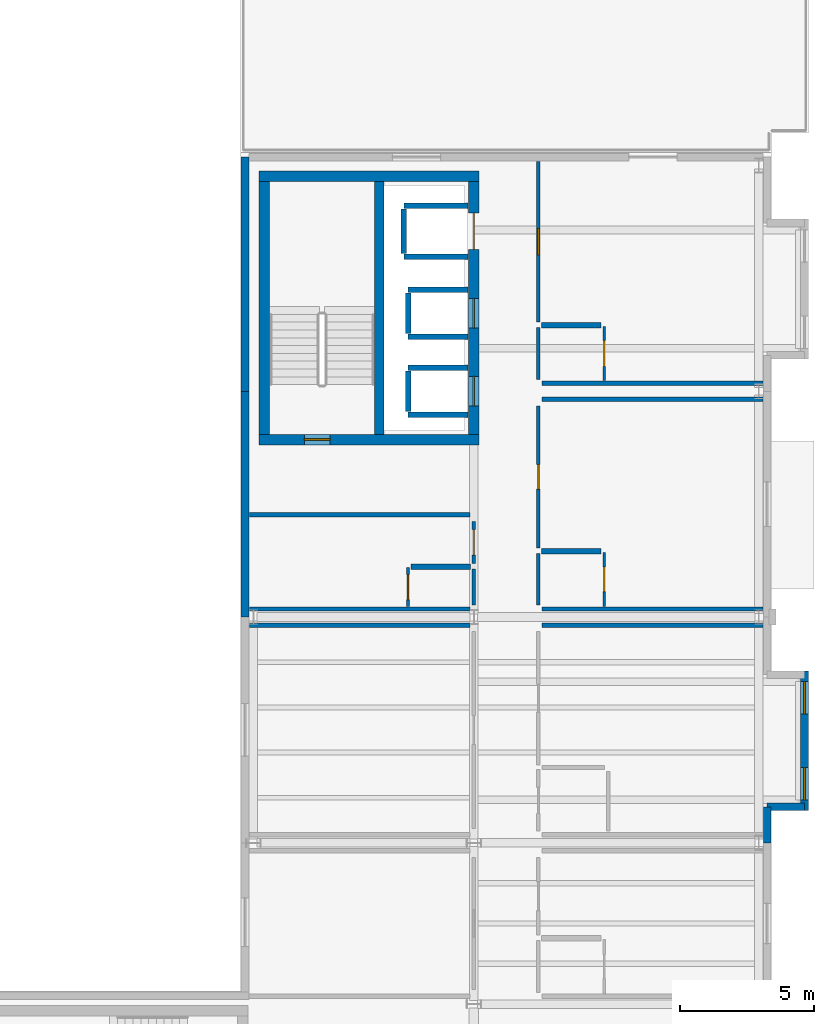
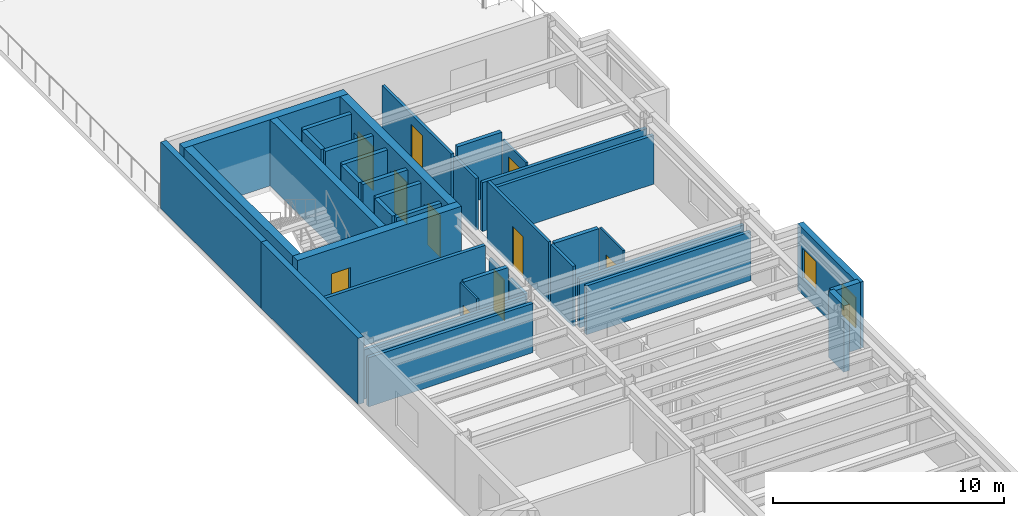
# One storey, part 14 of 19: 38 walls, 10 doors, 2 windows, 12 openings.
"""IFC4 building model written with IfcOpenShell, lengths in metres."""

import ifcopenshell
import ifcopenshell.guid

model = None  # the IFC model being written
_history = None  # IfcOwnerHistory: only IFC2X3 demands one
_inside = {}  # id of a spatial element -> (the spatial element, [elements in it])
_under = {}  # id of a project, library or spatial element -> (it, [spatial elements below it])
_declared = {}  # id of a project -> (the project, [libraries it declares])
_typed = {}  # id of a type object -> (the type object, [elements of that type])
_made_of = {}  # id of a material, layer set ... -> (it, [elements and type objects made of it])


def new_model(schema):
    """Start an empty IFC model of exactly this schema.

    Asked for "IFC4X3", IfcOpenShell would pick the latest addendum, in which some entities
    have other attributes; the version numbers below select the first issue.
    IFC2X3 requires an IfcOwnerHistory on every rooted entity: one is made here for all.
    """
    global model, _history
    if schema == "IFC4X3":
        model = ifcopenshell.file(schema_version=(4, 3, 0, 0))
    else:
        model = ifcopenshell.file(schema=schema)
    _inside.clear()
    _under.clear()
    _declared.clear()
    _typed.clear()
    _made_of.clear()
    _history = None
    if model.schema == "IFC2X3":
        org = make("IfcOrganization", Name="unknown")
        user = make(
            "IfcPersonAndOrganization",
            ThePerson=make("IfcPerson", FamilyName="unknown"),
            TheOrganization=org,
        )
        app = make(
            "IfcApplication",
            ApplicationDeveloper=org,
            Version="unknown",
            ApplicationFullName="unknown",
            ApplicationIdentifier="unknown",
        )
        _history = make(
            "IfcOwnerHistory",
            OwningUser=user,
            OwningApplication=app,
            ChangeAction="ADDED",
            CreationDate=0,
        )
    return model


def make(cls, **values):
    """One entity of the class cls with the attributes given. An attribute that is None is left unset."""
    return model.create_entity(
        cls, **{name: value for name, value in values.items() if value is not None}
    )


def rooted(cls, **values):
    """An entity with a GlobalId (a new one), such as an element, a storey or a relation."""
    return make(cls, GlobalId=ifcopenshell.guid.new(), OwnerHistory=_history, **values)


def si_unit(unit_type, name, prefix=None):
    """IfcSIUnit, for example si_unit("LENGTHUNIT", "METRE", prefix="MILLI")."""
    return make("IfcSIUnit", UnitType=unit_type, Prefix=prefix, Name=name)


def assignment(units):
    """IfcUnitAssignment: the units of a project."""
    return None if units is None else make("IfcUnitAssignment", Units=units)


def point(xyz):
    """IfcCartesianPoint."""
    return None if xyz is None else make("IfcCartesianPoint", Coordinates=xyz)


def direction(xyz):
    """IfcDirection."""
    return None if xyz is None else make("IfcDirection", DirectionRatios=xyz)


def frame(location, z_axis=None, x_axis=None):
    """IfcAxis2Placement3D, a coordinate frame: its origin and axes. An axis left out is left unset."""
    return make(
        "IfcAxis2Placement3D",
        Location=point(location),
        Axis=direction(z_axis),
        RefDirection=direction(x_axis),
    )


def frame_2d(location, x_axis=None):
    """IfcAxis2Placement2D, a coordinate frame in the plane: its origin and x axis."""
    return make(
        "IfcAxis2Placement2D", Location=point(location), RefDirection=direction(x_axis)
    )


def origin():
    """The frame at (0, 0, 0) with its axes left unset."""
    return frame((0.0, 0.0, 0.0))


def place(relative_to, where):
    """IfcLocalPlacement: puts the frame where relative to a parent placement (None: the world)."""
    return make(
        "IfcLocalPlacement", PlacementRelTo=relative_to, RelativePlacement=where
    )


def context(
    kind, dimensions, precision=None, world=None, true_north=None, identifier=None
):
    """IfcGeometricRepresentationContext, for example the 3D "Model" context."""
    return make(
        "IfcGeometricRepresentationContext",
        ContextIdentifier=identifier,
        ContextType=kind,
        CoordinateSpaceDimension=dimensions,
        Precision=precision,
        WorldCoordinateSystem=world,
        TrueNorth=true_north,
    )


def subcontext(parent, identifier, kind, view, scale=None):
    """IfcGeometricRepresentationSubContext, for example "Body" below "Model"."""
    return make(
        "IfcGeometricRepresentationSubContext",
        ContextIdentifier=identifier,
        ContextType=kind,
        ParentContext=parent,
        TargetScale=scale,
        TargetView=view,
    )


def project(units=None, contexts=None):
    """IfcProject with its units and contexts."""
    return rooted(
        "IfcProject",
        Name="project",
        RepresentationContexts=contexts,
        UnitsInContext=assignment(units),
    )


def spatial(cls, under=None, at=None, **own):
    """A site, building, storey or space (cls), placed at a placement, below another one or the project."""
    s = rooted(cls, ObjectPlacement=at, **own)
    if under is not None:
        _under.setdefault(under.id(), (under, []))[1].append(s)
    return s


def profile(cls, at=None, kind="AREA", **sizes):
    """A parametric profile (cls). Its sizes go by their IFC names, for example OverallWidth=200.0."""
    return make(cls, ProfileType=kind, Position=at, **sizes)


def rectangle(**sizes):
    """IfcRectangleProfileDef."""
    return profile("IfcRectangleProfileDef", **sizes)


def extrude(swept, where, along, depth):
    """IfcExtrudedAreaSolid: the profile swept, set in the frame where, extruded along a direction by depth."""
    return make(
        "IfcExtrudedAreaSolid",
        SweptArea=swept,
        Position=where,
        ExtrudedDirection=direction(along),
        Depth=depth,
    )


def shape(context_of_items, identifier, shape_type, items):
    """IfcShapeRepresentation: the items that make up one representation, for example the "Body"."""
    return make(
        "IfcShapeRepresentation",
        ContextOfItems=context_of_items,
        RepresentationIdentifier=identifier,
        RepresentationType=shape_type,
        Items=items,
    )


def material(Name=None, Category=None):
    """IfcMaterial."""
    return make("IfcMaterial", Name=Name, Category=Category)


def layer(
    of_material, thickness, ventilated=None, Name=None, Category=None, Priority=None
):
    """IfcMaterialLayer: one layer of a wall or slab, of a material (None: an air gap)."""
    return make(
        "IfcMaterialLayer",
        Material=of_material,
        LayerThickness=thickness,
        IsVentilated=ventilated,
        Name=Name,
        Category=Category,
        Priority=Priority,
    )


def layer_set(layers, Name=None):
    """IfcMaterialLayerSet."""
    return make("IfcMaterialLayerSet", MaterialLayers=layers, LayerSetName=Name)


def made_of(thing, what):
    """Note that an element or type object is made of a material, layer set ...; save() writes the relation."""
    if what is not None:
        _made_of.setdefault(what.id(), (what, []))[1].append(thing)
    return thing


def type_object(cls, material=None, **own):
    """A type object (cls), such as IfcWallType, which elements share."""
    return made_of(rooted(cls, **own), material)


def element(
    cls,
    number,
    at=None,
    inside=None,
    cuts=None,
    type_object=None,
    material=None,
    context=None,
    identifier="Body",
    shape_type=None,
    held_by="IfcProductDefinitionShape",
    body=None,
    shapes=None,
    **own,
):
    """One element of the class cls, such as IfcWall. Its Tag is "e" and its number.

    at: its placement. inside: the storey or other place that contains it. cuts: it is an
    opening in that element (IfcRelVoidsElement). A single representation is given by context,
    identifier, shape_type and body (its items); several are given by shapes. held_by: the class
    of the entity that holds the representations. save() writes the other relations.
    """
    e = rooted(cls, Tag="e%d" % number, ObjectPlacement=at, **own)
    if body is not None:
        shapes = [shape(context, identifier, shape_type, body)]
    if shapes is not None:
        e.Representation = make(held_by, Representations=shapes)
    if inside is not None:
        _inside.setdefault(inside.id(), (inside, []))[1].append(e)
    if cuts is not None:
        rooted(
            "IfcRelVoidsElement", RelatingBuildingElement=cuts, RelatedOpeningElement=e
        )
    if type_object is not None:
        _typed.setdefault(type_object.id(), (type_object, []))[1].append(e)
    return made_of(e, material)


def fill(opening, filler):
    """IfcRelFillsElement: the door or window that sits in an opening."""
    return rooted(
        "IfcRelFillsElement",
        RelatingOpeningElement=opening,
        RelatedBuildingElement=filler,
    )


def aggregate(whole, parts):
    """IfcRelAggregates: a whole, such as a stair, and the parts it consists of."""
    return rooted("IfcRelAggregates", RelatingObject=whole, RelatedObjects=parts)


def save(model, path):
    """Write the relations noted so far, then the file.

    IfcRelAggregates (storeys below a building ...), IfcRelContainedInSpatialStructure (elements
    in a storey), IfcRelDefinesByType, IfcRelAssociatesMaterial and IfcRelDeclares: one each for
    every whole, place, type object, material and project.
    """
    for whole, parts in _under.values():
        aggregate(whole, parts)
    for where, things in _inside.values():
        rooted(
            "IfcRelContainedInSpatialStructure",
            RelatedElements=things,
            RelatingStructure=where,
        )
    for kind, things in _typed.values():
        rooted("IfcRelDefinesByType", RelatedObjects=things, RelatingType=kind)
    for what, things in _made_of.values():
        rooted("IfcRelAssociatesMaterial", RelatedObjects=things, RelatingMaterial=what)
    for by, libraries in _declared.values():
        rooted("IfcRelDeclares", RelatingContext=by, RelatedDefinitions=libraries)
    model.write(path)


model = new_model("IFC4")

# Units and contexts
model_context = context("Model", 3, precision=1e-05, world=origin(), true_north=direction((0.0, 1.0)))
body_context = subcontext(model_context, "Body", "Model", "MODEL_VIEW")
ifc_project = project(units=[si_unit("LENGTHUNIT", "METRE"), si_unit("AREAUNIT", "SQUARE_METRE"), si_unit("VOLUMEUNIT", "CUBIC_METRE"), si_unit("PLANEANGLEUNIT", "RADIAN"), si_unit("MASSUNIT", "GRAM", prefix="KILO")], contexts=[model_context])

# Site, building, storey
site_placement = place(None, origin())
site = spatial("IfcSite", under=ifc_project, at=site_placement, CompositionType="ELEMENT")
building_placement = place(site_placement, origin())
building = spatial("IfcBuilding", under=site, at=building_placement, Name="Sollismere Congress Hotel", CompositionType="ELEMENT")
storey_placement = place(building_placement, frame((0.0, 0.0, 34.10009765625)))
storey = spatial("IfcBuildingStorey", under=building, at=storey_placement, Name="L08", CompositionType="ELEMENT", Elevation=34.10009765625)

# Wall
ifc_material_1 = material(Name="Colorado Buff Sandstone Rainscreen on Insulated Backup", Category="masonry")
ifc_layer_1 = layer(ifc_material_1, 0.284912109375, Name="Colorado Buff Sandstone Rainscreen on Insulated Backup")
ifc_layer_set_1 = layer_set([ifc_layer_1], Name="Colorado Buff Sandstone Rainscreen on Insulated Backup")
wall_type_1 = type_object("IfcWallType", Name="WL-EXT285", PredefinedType="STANDARD", material=ifc_layer_set_1)
wall_1_placement = place(storey_placement, frame((166.31005859375, 24.800048828125, 0.0), z_axis=(0.0, 0.0, 1.0), x_axis=(0.0, 1.0, 0.0)))
element("IfcWall", 1, at=wall_1_placement, inside=storey, type_object=wall_type_1, Name="Exterior wall EW-L08-849", PredefinedType="STANDARD", context=body_context, shape_type="SweptSolid", body=[
    extrude(rectangle(XDim=1.33984375, YDim=0.284912109375, at=frame_2d((0.669921875, 0.0))), origin(), (0.0, 0.0, 1.0), 3.5),
])

# Wall, openings, windows
wall_2_placement = place(storey_placement, frame((167.699951171875, 26.0, 0.0), z_axis=(0.0, 0.0, 1.0), x_axis=(0.0, 1.0, 0.0)))
wall_2 = element("IfcWall", 2, at=wall_2_placement, inside=storey, type_object=wall_type_1, Name="Exterior wall EW-L08-851", PredefinedType="STANDARD", context=body_context, shape_type="SweptSolid", body=[
    extrude(rectangle(XDim=5.199951171875, YDim=0.284912109375, at=frame_2d((2.60009765625, 0.0))), origin(), (0.0, 0.0, 1.0), 3.5),
])
opening_1_placement = place(wall_2_placement, frame((0.39990234375, 0.0, 0.85009765625)))
opening_1 = element("IfcOpeningElement", 3, at=opening_1_placement, cuts=wall_2, Name="Opening W-L08-613", PredefinedType="OPENING", context=body_context, shape_type="SweptSolid", body=[
    extrude(rectangle(XDim=1.199951171875, YDim=1.60009765625, at=frame_2d((0.60009765625, 0.800048828125))), frame((0.0, 0.15234375, 0.0), z_axis=(0.0, -1.0, 0.0), x_axis=(1.0, 0.0, 0.0)), (0.0, 0.0, 1.0), 0.304931640625),
])
opening_2_placement = place(wall_2_placement, frame((3.60009765625, 0.0, 0.85009765625)))
opening_2 = element("IfcOpeningElement", 4, at=opening_2_placement, cuts=wall_2, Name="Opening W-L08-614", PredefinedType="OPENING", context=body_context, shape_type="SweptSolid", body=[
    extrude(rectangle(XDim=1.199951171875, YDim=1.60009765625, at=frame_2d((0.60009765625, 0.800048828125))), frame((0.0, 0.15234375, 0.0), z_axis=(0.0, -1.0, 0.0), x_axis=(1.0, 0.0, 0.0)), (0.0, 0.0, 1.0), 0.304931640625),
])
ifc_material_2 = material(Name="Thermally Broken Bronze Aluminum & Low-E Glass", Category="aluminium")
window_type = type_object("IfcWindowType", Name="WN-P120x160", PartitioningType="SINGLE_PANEL", PredefinedType="WINDOW", material=ifc_material_2)
window_1_placement = place(opening_1_placement, origin())
window_1 = element("IfcWindow", 5, at=window_1_placement, inside=storey, type_object=window_type, Name="WIN-W-L08-613", OverallHeight=1.60009765625, OverallWidth=1.199951171875, PartitioningType="SINGLE_PANEL", PredefinedType="WINDOW", context=body_context, shape_type="SweptSolid", body=[
    extrude(rectangle(XDim=1.199951171875, YDim=1.60009765625, at=frame_2d((0.60009765625, 0.800048828125))), frame((0.0, 0.030029296875, 0.0), z_axis=(0.0, -1.0, 0.0), x_axis=(1.0, 0.0, 0.0)), (0.0, 0.0, 1.0), 0.06005859375),
])
fill(opening_1, window_1)
window_2_placement = place(opening_2_placement, origin())
window_2 = element("IfcWindow", 6, at=window_2_placement, inside=storey, type_object=window_type, Name="WIN-W-L08-614", OverallHeight=1.60009765625, OverallWidth=1.199951171875, PartitioningType="SINGLE_PANEL", PredefinedType="WINDOW", context=body_context, shape_type="SweptSolid", body=[
    extrude(rectangle(XDim=1.199951171875, YDim=1.60009765625, at=frame_2d((0.60009765625, 0.800048828125))), frame((0.0, 0.030029296875, 0.0), z_axis=(0.0, -1.0, 0.0), x_axis=(1.0, 0.0, 0.0)), (0.0, 0.0, 1.0), 0.06005859375),
])
fill(opening_2, window_2)

# Walls
wall_3_placement = place(storey_placement, frame((166.31005859375, 26.139892578125, 0.0), z_axis=(0.0, 0.0, 1.0), x_axis=(1.0, 0.0, 0.0)))
element("IfcWall", 7, at=wall_3_placement, inside=storey, type_object=wall_type_1, Name="Exterior wall EW-L08-852", PredefinedType="STANDARD", context=body_context, shape_type="SweptSolid", body=[
    extrude(rectangle(XDim=1.389892578125, YDim=0.284912109375, at=frame_2d((0.69482421875, 0.0))), origin(), (0.0, 0.0, 1.0), 3.5),
])
wall_4_placement = place(storey_placement, frame((146.889892578125, 33.199951171875, 0.0), z_axis=(0.0, 0.0, 1.0), x_axis=(0.0, 1.0, 0.0)))
element("IfcWall", 8, at=wall_4_placement, inside=storey, type_object=wall_type_1, Name="Exterior wall EW-L08-871", PredefinedType="STANDARD", context=body_context, shape_type="SweptSolid", body=[
    extrude(rectangle(XDim=8.400146484375, YDim=0.284912109375, at=frame_2d((4.2001953125, 0.0))), origin(), (0.0, 0.0, 1.0), 3.5),
])
wall_5_placement = place(storey_placement, frame((146.889892578125, 41.60009765625, 0.0), z_axis=(0.0, 0.0, 1.0), x_axis=(0.0, 1.0, 0.0)))
element("IfcWall", 9, at=wall_5_placement, inside=storey, type_object=wall_type_1, Name="Exterior wall EW-L08-872", PredefinedType="STANDARD", context=body_context, shape_type="SweptSolid", body=[
    extrude(rectangle(XDim=8.7099609375, YDim=0.284912109375, at=frame_2d((4.35498046875, 0.0))), origin(), (0.0, 0.0, 1.0), 3.5),
])
ifc_material_3 = material(Name="Moisture-Resistant Shaft Gypsum Assembly")
ifc_layer_2 = layer(ifc_material_3, 0.199951171875, Name="Moisture-Resistant Shaft Gypsum Assembly")
ifc_layer_set_2 = layer_set([ifc_layer_2], Name="Moisture-Resistant Shaft Gypsum Assembly")
wall_type_2 = type_object("IfcWallType", Name="WL-PLM200", PredefinedType="PLUMBINGWALL", material=ifc_layer_set_2)
for number, where, z_axis, x_axis, name in (
    (10, (152.955078125, 40.72998046875, 0.0), (0.0, 0.0, 1.0), (1.0, 0.0, 0.0), "Interior wall IW-L08-0509"),
    (11, (152.955078125, 42.469970703125, 0.0), (0.0, 0.0, 1.0), (1.0, 0.0, 0.0), "Interior wall IW-L08-0510"),
):
    element("IfcWall", number, at=place(storey_placement, frame(where, z_axis=z_axis, x_axis=x_axis)), inside=storey, type_object=wall_type_2, Name=name, PredefinedType="PLUMBINGWALL", context=body_context, shape_type="SweptSolid", body=[
        extrude(rectangle(XDim=2.23291015625, YDim=0.199951171875, at=frame_2d((1.116455078125, 0.0))), origin(), (0.0, 0.0, 1.0), 3.18994140625),
    ])
wall_6_placement = place(storey_placement, frame((152.955078125, 40.842041015625, 0.0), z_axis=(0.0, 0.0, 1.0), x_axis=(0.0, 1.0, 0.0)))
element("IfcWall", 12, at=wall_6_placement, inside=storey, type_object=wall_type_2, Name="Interior wall IW-L08-0511", PredefinedType="PLUMBINGWALL", context=body_context, shape_type="SweptSolid", body=[
    extrude(rectangle(XDim=1.515869140625, YDim=0.199951171875, at=frame_2d((0.7578125, 0.0))), origin(), (0.0, 0.0, 1.0), 3.18994140625),
])
for number, where, z_axis, x_axis, name in (
    (13, (152.955078125, 43.6298828125, 0.0), (0.0, 0.0, 1.0), (1.0, 0.0, 0.0), "Interior wall IW-L08-0512"),
    (14, (152.955078125, 45.3701171875, 0.0), (0.0, 0.0, 1.0), (1.0, 0.0, 0.0), "Interior wall IW-L08-0513"),
):
    element("IfcWall", number, at=place(storey_placement, frame(where, z_axis=z_axis, x_axis=x_axis)), inside=storey, type_object=wall_type_2, Name=name, PredefinedType="PLUMBINGWALL", context=body_context, shape_type="SweptSolid", body=[
        extrude(rectangle(XDim=2.23291015625, YDim=0.199951171875, at=frame_2d((1.116455078125, 0.0))), origin(), (0.0, 0.0, 1.0), 3.18994140625),
    ])
wall_7_placement = place(storey_placement, frame((152.955078125, 43.741943359375, 0.0), z_axis=(0.0, 0.0, 1.0), x_axis=(0.0, 1.0, 0.0)))
element("IfcWall", 15, at=wall_7_placement, inside=storey, type_object=wall_type_2, Name="Interior wall IW-L08-0514", PredefinedType="PLUMBINGWALL", context=body_context, shape_type="SweptSolid", body=[
    extrude(rectangle(XDim=1.51611328125, YDim=0.199951171875, at=frame_2d((0.758056640625, 0.0))), origin(), (0.0, 0.0, 1.0), 3.18994140625),
])
for number, where, z_axis, x_axis, name in (
    (16, (152.800048828125, 46.60498046875, 0.0), (0.0, 0.0, 1.0), (1.0, 0.0, 0.0), "Interior wall IW-L08-0515"),
    (17, (152.800048828125, 48.4951171875, 0.0), (0.0, 0.0, 1.0), (1.0, 0.0, 0.0), "Interior wall IW-L08-0516"),
):
    element("IfcWall", number, at=place(storey_placement, frame(where, z_axis=z_axis, x_axis=x_axis)), inside=storey, type_object=wall_type_2, Name=name, PredefinedType="PLUMBINGWALL", context=body_context, shape_type="SweptSolid", body=[
        extrude(rectangle(XDim=2.387939453125, YDim=0.199951171875, at=frame_2d((1.19384765625, 0.0))), origin(), (0.0, 0.0, 1.0), 3.18994140625),
    ])
wall_8_placement = place(storey_placement, frame((152.800048828125, 46.717041015625, 0.0), z_axis=(0.0, 0.0, 1.0), x_axis=(0.0, 1.0, 0.0)))
element("IfcWall", 18, at=wall_8_placement, inside=storey, type_object=wall_type_2, Name="Interior wall IW-L08-0517", PredefinedType="PLUMBINGWALL", context=body_context, shape_type="SweptSolid", body=[
    extrude(rectangle(XDim=1.666015625, YDim=0.199951171875, at=frame_2d((0.8330078125, 0.0))), origin(), (0.0, 0.0, 1.0), 3.18994140625),
])
for number, where, z_axis, x_axis, name in (
    (19, (157.919921875, 35.64990234375, 0.0), (0.0, 0.0, 1.0), (1.0, 0.0, 0.0), "Interior wall IW-L08-2535"),
    (20, (153.070068359375, 35.074951171875, 0.0), (0.0, 0.0, 1.0), (1.0, 0.0, 0.0), "Interior wall IW-L08-2541"),
    (21, (157.919921875, 44.050048828125, 0.0), (0.0, 0.0, 1.0), (1.0, 0.0, 0.0), "Interior wall IW-L08-2546"),
):
    element("IfcWall", number, at=place(storey_placement, frame(where, z_axis=z_axis, x_axis=x_axis)), inside=storey, type_object=wall_type_2, Name=name, PredefinedType="PLUMBINGWALL", context=body_context, shape_type="SweptSolid", body=[
        extrude(rectangle(XDim=2.2099609375, YDim=0.199951171875, at=frame_2d((1.10498046875, 0.0))), origin(), (0.0, 0.0, 1.0), 3.18994140625),
    ])

# Wall, opening, door
ifc_material_4 = material(Name="Moisture-Resistant Gypsum Partition")
ifc_layer_3 = layer(ifc_material_4, 0.10009765625, Name="Moisture-Resistant Gypsum Partition")
ifc_layer_set_3 = layer_set([ifc_layer_3], Name="Moisture-Resistant Gypsum Partition")
wall_type_3 = type_object("IfcWallType", Name="WL-PRT100", PredefinedType="PARTITIONING", material=ifc_layer_set_3)
wall_9_placement = place(storey_placement, frame((160.25, 33.594482421875, 0.0), z_axis=(0.0, 0.0, 1.0), x_axis=(0.0, 1.0, 0.0)))
wall_9 = element("IfcWall", 22, at=wall_9_placement, inside=storey, type_object=wall_type_3, Name="Interior wall IW-L08-2536", PredefinedType="PARTITIONING", context=body_context, shape_type="SweptSolid", body=[
    extrude(rectangle(XDim=2.015625, YDim=0.10009765625, at=frame_2d((1.0078125, 0.0))), origin(), (0.0, 0.0, 1.0), 3.18994140625),
])
opening_3_placement = place(wall_9_placement, frame((0.554931640625, 0.0, 0.0)))
opening_3 = element("IfcOpeningElement", 23, at=opening_3_placement, cuts=wall_9, Name="Opening D-L08-0895", PredefinedType="OPENING", context=body_context, shape_type="SweptSolid", body=[
    extrude(rectangle(XDim=0.905029296875, YDim=2.10009765625, at=frame_2d((0.45263671875, 1.050048828125))), frame((0.0, 0.06005859375, 0.0), z_axis=(0.0, -1.0, 0.0), x_axis=(1.0, 0.0, 0.0)), (0.0, 0.0, 1.0), 0.1201171875),
])
ifc_material_5 = material(Name="Moisture-Sealed Timber Bathroom Door", Category="wood")
door_type_1 = type_object("IfcDoorType", Name="DR-BT02", OperationType="NOTDEFINED", PredefinedType="DOOR", material=ifc_material_5)
door_1_placement = place(opening_3_placement, origin())
door_1 = element("IfcDoor", 24, at=door_1_placement, inside=storey, type_object=door_type_1, Name="En-suite bathroom door D-L08-0895", OperationType="SINGLE_SWING_RIGHT", OverallHeight=2.10009765625, OverallWidth=0.905029296875, PredefinedType="DOOR", context=body_context, shape_type="SweptSolid", body=[
    extrude(rectangle(XDim=0.905029296875, YDim=2.10009765625, at=frame_2d((0.45263671875, 1.050048828125))), frame((0.0, 0.02490234375, 0.0), z_axis=(0.0, -1.0, 0.0), x_axis=(1.0, 0.0, 0.0)), (0.0, 0.0, 1.0), 0.050048828125),
])
fill(opening_3, door_1)

wall_10_placement = place(storey_placement, frame((152.949951171875, 33.594482421875, 0.0), z_axis=(0.0, 0.0, 1.0), x_axis=(0.0, 1.0, 0.0)))
wall_10 = element("IfcWall", 25, at=wall_10_placement, inside=storey, type_object=wall_type_3, Name="Interior wall IW-L08-2542", PredefinedType="PARTITIONING", context=body_context, shape_type="SweptSolid", body=[
    extrude(rectangle(XDim=1.4404296875, YDim=0.10009765625, at=frame_2d((0.72021484375, 0.0))), origin(), (0.0, 0.0, 1.0), 3.18994140625),
])
opening_4_placement = place(wall_10_placement, frame((0.2548828125, 0.0, 0.0)))
opening_4 = element("IfcOpeningElement", 26, at=opening_4_placement, cuts=wall_10, Name="Opening D-L08-0897", PredefinedType="OPENING", context=body_context, shape_type="SweptSolid", body=[
    extrude(rectangle(XDim=0.929931640625, YDim=2.139892578125, at=frame_2d((0.46484375, 1.06982421875))), frame((0.0, 0.06005859375, 0.0), z_axis=(0.0, -1.0, 0.0), x_axis=(1.0, 0.0, 0.0)), (0.0, 0.0, 1.0), 0.1201171875),
])
door_type_2 = type_object("IfcDoorType", Name="DR-BT03", OperationType="NOTDEFINED", PredefinedType="DOOR", material=ifc_material_5)
door_2_placement = place(opening_4_placement, origin())
door_2 = element("IfcDoor", 27, at=door_2_placement, inside=storey, type_object=door_type_2, Name="En-suite bathroom door D-L08-0897", OperationType="SINGLE_SWING_RIGHT", OverallHeight=2.139892578125, OverallWidth=0.929931640625, PredefinedType="DOOR", context=body_context, shape_type="SweptSolid", body=[
    extrude(rectangle(XDim=0.929931640625, YDim=2.139892578125, at=frame_2d((0.46484375, 1.06982421875))), frame((0.0, 0.02490234375, 0.0), z_axis=(0.0, -1.0, 0.0), x_axis=(1.0, 0.0, 0.0)), (0.0, 0.0, 1.0), 0.050048828125),
])
fill(opening_4, door_2)

wall_11_placement = place(storey_placement, frame((160.25, 41.994384765625, 0.0), z_axis=(0.0, 0.0, 1.0), x_axis=(0.0, 1.0, 0.0)))
wall_11 = element("IfcWall", 28, at=wall_11_placement, inside=storey, type_object=wall_type_3, Name="Interior wall IW-L08-2547", PredefinedType="PARTITIONING", context=body_context, shape_type="SweptSolid", body=[
    extrude(rectangle(XDim=2.015625, YDim=0.10009765625, at=frame_2d((1.0078125, 0.0))), origin(), (0.0, 0.0, 1.0), 2.742919921875),
])
opening_5_placement = place(wall_11_placement, frame((0.530029296875, 0.0, 0.0)))
opening_5 = element("IfcOpeningElement", 29, at=opening_5_placement, cuts=wall_11, Name="Opening D-L08-0899", PredefinedType="OPENING", context=body_context, shape_type="SweptSolid", body=[
    extrude(rectangle(XDim=0.955078125, YDim=2.139892578125, at=frame_2d((0.4775390625, 1.06982421875))), frame((0.0, 0.06005859375, 0.0), z_axis=(0.0, -1.0, 0.0), x_axis=(1.0, 0.0, 0.0)), (0.0, 0.0, 1.0), 0.1201171875),
])
door_type_3 = type_object("IfcDoorType", Name="DR-BT04", OperationType="NOTDEFINED", PredefinedType="DOOR", material=ifc_material_5)
door_3_placement = place(opening_5_placement, origin())
door_3 = element("IfcDoor", 30, at=door_3_placement, inside=storey, type_object=door_type_3, Name="En-suite bathroom door D-L08-0899", OperationType="SINGLE_SWING_RIGHT", OverallHeight=2.139892578125, OverallWidth=0.955078125, PredefinedType="DOOR", context=body_context, shape_type="SweptSolid", body=[
    extrude(rectangle(XDim=0.955078125, YDim=2.139892578125, at=frame_2d((0.4775390625, 1.06982421875))), frame((0.0, 0.02490234375, 0.0), z_axis=(0.0, -1.0, 0.0), x_axis=(1.0, 0.0, 0.0)), (0.0, 0.0, 1.0), 0.050048828125),
])
fill(opening_5, door_3)

# Wall
ifc_material_6 = material(Name="Fire-Rated Gypsum Partition")
ifc_layer_4 = layer(ifc_material_6, 0.139892578125, Name="Fire-Rated Gypsum Partition")
ifc_layer_set_4 = layer_set([ifc_layer_4], Name="Fire-Rated Gypsum Partition")
wall_type_4 = type_object("IfcWallType", Name="WL-PRT140R", PredefinedType="PARTITIONING", material=ifc_layer_set_4)
wall_12_placement = place(storey_placement, frame((157.800048828125, 33.639892578125, 0.0), z_axis=(0.0, 0.0, 1.0), x_axis=(0.0, 1.0, 0.0)))
element("IfcWall", 31, at=wall_12_placement, inside=storey, type_object=wall_type_4, Name="Interior wall IW-L08-2531", PredefinedType="PARTITIONING", context=body_context, shape_type="SweptSolid", body=[
    extrude(rectangle(XDim=1.93017578125, YDim=0.139892578125, at=frame_2d((0.965087890625, 0.0))), origin(), (0.0, 0.0, 1.0), 3.18994140625),
])

# Wall, opening, door
wall_13_placement = place(storey_placement, frame((157.800048828125, 35.77001953125, 0.0), z_axis=(0.0, 0.0, 1.0), x_axis=(0.0, 1.0, 0.0)))
wall_13 = element("IfcWall", 32, at=wall_13_placement, inside=storey, type_object=wall_type_4, Name="Interior wall IW-L08-2532", PredefinedType="PARTITIONING", context=body_context, shape_type="SweptSolid", body=[
    extrude(rectangle(XDim=5.2900390625, YDim=0.139892578125, at=frame_2d((2.64501953125, 0.0))), origin(), (0.0, 0.0, 1.0), 3.18994140625),
])
opening_6_placement = place(wall_13_placement, frame((2.18505859375, 0.0, 0.0)))
opening_6 = element("IfcOpeningElement", 33, at=opening_6_placement, cuts=wall_13, Name="Opening D-L08-0894", PredefinedType="OPENING", context=body_context, shape_type="SweptSolid", body=[
    extrude(rectangle(XDim=0.919921875, YDim=2.14990234375, at=frame_2d((0.4599609375, 1.074951171875))), frame((0.0, 0.079833984375, 0.0), z_axis=(0.0, -1.0, 0.0), x_axis=(1.0, 0.0, 0.0)), (0.0, 0.0, 1.0), 0.159912109375),
])
ifc_material_7 = material(Name="Solid-Core Acoustic Walnut Guestroom Entry Door")
door_type_4 = type_object("IfcDoorType", Name="DR-KY01", OperationType="NOTDEFINED", PredefinedType="DOOR", material=ifc_material_7)
door_4_placement = place(opening_6_placement, origin())
door_4 = element("IfcDoor", 34, at=door_4_placement, inside=storey, type_object=door_type_4, Name="Hotel room entry door D-L08-0894", OperationType="SINGLE_SWING_LEFT", OverallHeight=2.14990234375, OverallWidth=0.919921875, PredefinedType="DOOR", context=body_context, shape_type="SweptSolid", body=[
    extrude(rectangle(XDim=0.919921875, YDim=2.14990234375, at=frame_2d((0.4599609375, 1.074951171875))), frame((0.0, 0.02490234375, 0.0), z_axis=(0.0, -1.0, 0.0), x_axis=(1.0, 0.0, 0.0)), (0.0, 0.0, 1.0), 0.050048828125),
])
fill(opening_6, door_4)

# Wall
wall_14_placement = place(storey_placement, frame((155.39990234375, 33.639892578125, 0.0), z_axis=(0.0, 0.0, 1.0), x_axis=(0.0, 1.0, 0.0)))
element("IfcWall", 35, at=wall_14_placement, inside=storey, type_object=wall_type_4, Name="Interior wall IW-L08-2537", PredefinedType="PARTITIONING", context=body_context, shape_type="SweptSolid", body=[
    extrude(rectangle(XDim=1.355224609375, YDim=0.139892578125, at=frame_2d((0.677734375, 0.0))), origin(), (0.0, 0.0, 1.0), 2.579833984375),
])

# Wall, opening, door
wall_15_placement = place(storey_placement, frame((155.39990234375, 35.195068359375, 0.0), z_axis=(0.0, 0.0, 1.0), x_axis=(0.0, 1.0, 0.0)))
wall_15 = element("IfcWall", 36, at=wall_15_placement, inside=storey, type_object=wall_type_4, Name="Interior wall IW-L08-2538", PredefinedType="PARTITIONING", context=body_context, shape_type="SweptSolid", body=[
    extrude(rectangle(XDim=1.56494140625, YDim=0.139892578125, at=frame_2d((0.782470703125, 0.0))), origin(), (0.0, 0.0, 1.0), 2.579833984375),
])
opening_7_placement = place(wall_15_placement, frame((0.306884765625, 0.0, 0.0)))
opening_7 = element("IfcOpeningElement", 37, at=opening_7_placement, cuts=wall_15, Name="Opening D-L08-0896", PredefinedType="OPENING", context=body_context, shape_type="SweptSolid", body=[
    extrude(rectangle(XDim=0.949951171875, YDim=2.14990234375, at=frame_2d((0.47509765625, 1.074951171875))), frame((0.0, 0.079833984375, 0.0), z_axis=(0.0, -1.0, 0.0), x_axis=(1.0, 0.0, 0.0)), (0.0, 0.0, 1.0), 0.159912109375),
])
door_type_5 = type_object("IfcDoorType", Name="DR-KY02", OperationType="NOTDEFINED", PredefinedType="DOOR", material=ifc_material_7)
door_5_placement = place(opening_7_placement, origin())
door_5 = element("IfcDoor", 38, at=door_5_placement, inside=storey, type_object=door_type_5, Name="Hotel room entry door D-L08-0896", OperationType="SINGLE_SWING_LEFT", OverallHeight=2.14990234375, OverallWidth=0.949951171875, PredefinedType="DOOR", context=body_context, shape_type="SweptSolid", body=[
    extrude(rectangle(XDim=0.949951171875, YDim=2.14990234375, at=frame_2d((0.47509765625, 1.074951171875))), frame((0.0, 0.02490234375, 0.0), z_axis=(0.0, -1.0, 0.0), x_axis=(1.0, 0.0, 0.0)), (0.0, 0.0, 1.0), 0.050048828125),
])
fill(opening_7, door_5)

# Wall
wall_16_placement = place(storey_placement, frame((157.800048828125, 42.0400390625, 0.0), z_axis=(0.0, 0.0, 1.0), x_axis=(0.0, 1.0, 0.0)))
element("IfcWall", 39, at=wall_16_placement, inside=storey, type_object=wall_type_4, Name="Interior wall IW-L08-2543", PredefinedType="PARTITIONING", context=body_context, shape_type="SweptSolid", body=[
    extrude(rectangle(XDim=1.929931640625, YDim=0.139892578125, at=frame_2d((0.96484375, 0.0))), origin(), (0.0, 0.0, 1.0), 2.742919921875),
])

# Wall, opening, door
wall_17_placement = place(storey_placement, frame((157.800048828125, 44.169921875, 0.0), z_axis=(0.0, 0.0, 1.0), x_axis=(0.0, 1.0, 0.0)))
wall_17 = element("IfcWall", 40, at=wall_17_placement, inside=storey, type_object=wall_type_4, Name="Interior wall IW-L08-2544", PredefinedType="PARTITIONING", context=body_context, shape_type="SweptSolid", body=[
    extrude(rectangle(XDim=5.982666015625, YDim=0.139892578125, at=frame_2d((2.9912109375, 0.0))), origin(), (0.0, 0.0, 1.0), 2.742919921875),
])
opening_8_placement = place(wall_17_placement, frame((2.5009765625, 0.0, 0.0)))
opening_8 = element("IfcOpeningElement", 41, at=opening_8_placement, cuts=wall_17, Name="Opening D-L08-0898", PredefinedType="OPENING", context=body_context, shape_type="SweptSolid", body=[
    extrude(rectangle(XDim=0.97998046875, YDim=2.199951171875, at=frame_2d((0.489990234375, 1.10009765625))), frame((0.0, 0.079833984375, 0.0), z_axis=(0.0, -1.0, 0.0), x_axis=(1.0, 0.0, 0.0)), (0.0, 0.0, 1.0), 0.159912109375),
])
door_type_6 = type_object("IfcDoorType", Name="DR-KY03", OperationType="NOTDEFINED", PredefinedType="DOOR", material=ifc_material_7)
door_6_placement = place(opening_8_placement, origin())
door_6 = element("IfcDoor", 42, at=door_6_placement, inside=storey, type_object=door_type_6, Name="Hotel room entry door D-L08-0898", OperationType="SINGLE_SWING_LEFT", OverallHeight=2.199951171875, OverallWidth=0.97998046875, PredefinedType="DOOR", context=body_context, shape_type="SweptSolid", body=[
    extrude(rectangle(XDim=0.97998046875, YDim=2.199951171875, at=frame_2d((0.489990234375, 1.10009765625))), frame((0.0, 0.02490234375, 0.0), z_axis=(0.0, -1.0, 0.0), x_axis=(1.0, 0.0, 0.0)), (0.0, 0.0, 1.0), 0.050048828125),
])
fill(opening_8, door_6)

# Walls
ifc_material_8 = material(Name="Fire-Rated Acoustic Gypsum Partition")
ifc_layer_5 = layer(ifc_material_8, 0.1650390625, Name="Fire-Rated Acoustic Gypsum Partition")
ifc_layer_set_5 = layer_set([ifc_layer_5], Name="Fire-Rated Acoustic Gypsum Partition")
wall_type_5 = type_object("IfcWallType", Name="WL-PRT165R", PredefinedType="PARTITIONING", material=ifc_layer_set_5)
for number, where, z_axis, x_axis, name in (
    (43, (157.93994140625, 33.5, 0.0), (0.0, 0.0, 1.0), (1.0, 0.0, 0.0), "Interior wall IW-L08-2533"),
    (44, (157.93994140625, 41.300048828125, 0.0), (0.0, 0.0, 1.0), (1.0, 0.0, 0.0), "Interior wall IW-L08-2534"),
):
    element("IfcWall", number, at=place(storey_placement, frame(where, z_axis=z_axis, x_axis=x_axis)), inside=storey, type_object=wall_type_5, Name=name, PredefinedType="PARTITIONING", context=body_context, shape_type="SweptSolid", body=[
        extrude(rectangle(XDim=8.212646484375, YDim=0.1650390625, at=frame_2d((4.1064453125, 0.0))), origin(), (0.0, 0.0, 1.0), 2.579833984375),
    ])
wall_18_placement = place(storey_placement, frame((147.047607421875, 33.5, 0.0), z_axis=(0.0, 0.0, 1.0), x_axis=(1.0, 0.0, 0.0)))
element("IfcWall", 45, at=wall_18_placement, inside=storey, type_object=wall_type_5, Name="Interior wall IW-L08-2539", PredefinedType="PARTITIONING", context=body_context, shape_type="SweptSolid", body=[
    extrude(rectangle(XDim=8.21240234375, YDim=0.1650390625, at=frame_2d((4.106201171875, 0.0))), origin(), (0.0, 0.0, 1.0), 2.602783203125),
])
wall_19_placement = place(storey_placement, frame((147.047607421875, 37.0, 0.0), z_axis=(0.0, 0.0, 1.0), x_axis=(1.0, 0.0, 0.0)))
element("IfcWall", 46, at=wall_19_placement, inside=storey, type_object=wall_type_5, Name="Interior wall IW-L08-2540", PredefinedType="PARTITIONING", context=body_context, shape_type="SweptSolid", body=[
    extrude(rectangle(XDim=8.21240234375, YDim=0.1650390625, at=frame_2d((4.106201171875, 0.0))), origin(), (0.0, 0.0, 1.0), 3.18994140625),
])
for number, where, z_axis, x_axis, name in (
    (47, (157.93994140625, 41.89990234375, 0.0), (0.0, 0.0, 1.0), (1.0, 0.0, 0.0), "Interior wall IW-L08-2545"),
    (48, (157.93994140625, 32.89990234375, 0.0), (0.0, 0.0, 1.0), (1.0, 0.0, 0.0), "Interior wall IW-L08-2556"),
):
    element("IfcWall", number, at=place(storey_placement, frame(where, z_axis=z_axis, x_axis=x_axis)), inside=storey, type_object=wall_type_5, Name=name, PredefinedType="PARTITIONING", context=body_context, shape_type="SweptSolid", body=[
        extrude(rectangle(XDim=8.212646484375, YDim=0.1650390625, at=frame_2d((4.1064453125, 0.0))), origin(), (0.0, 0.0, 1.0), 2.579833984375),
    ])
wall_20_placement = place(storey_placement, frame((147.047607421875, 32.89990234375, 0.0), z_axis=(0.0, 0.0, 1.0), x_axis=(1.0, 0.0, 0.0)))
element("IfcWall", 49, at=wall_20_placement, inside=storey, type_object=wall_type_5, Name="Interior wall IW-L08-2559", PredefinedType="PARTITIONING", context=body_context, shape_type="SweptSolid", body=[
    extrude(rectangle(XDim=8.21240234375, YDim=0.1650390625, at=frame_2d((4.106201171875, 0.0))), origin(), (0.0, 0.0, 1.0), 2.602783203125),
])
ifc_material_9 = material(Name="Concrete C50/60", Category="concrete")
ifc_layer_6 = layer(ifc_material_9, 0.35009765625, Name="Concrete C50/60")
ifc_layer_set_6 = layer_set([ifc_layer_6], Name="Concrete C50/60")
wall_type_6 = type_object("IfcWallType", Name="WL-SHR350", PredefinedType="SHEAR", material=ifc_layer_set_6)
wall_21_placement = place(storey_placement, frame((151.875, 40.0, 0.0), z_axis=(0.0, 0.0, 1.0), x_axis=(0.0, 1.0, 0.0)))
element("IfcWall", 50, at=wall_21_placement, inside=storey, type_object=wall_type_6, Name="Interior wall IW-L08-0508", PredefinedType="SHEAR", context=body_context, shape_type="SweptSolid", body=[
    extrude(rectangle(XDim=9.39990234375, YDim=0.35009765625, at=frame_2d((4.699951171875, 0.0))), origin(), (0.0, 0.0, 1.0), 3.5),
])

# Wall, opening, door
ifc_layer_7 = layer(ifc_material_9, 0.39990234375, Name="Concrete C50/60")
ifc_layer_set_7 = layer_set([ifc_layer_7], Name="Concrete C50/60")
wall_type_7 = type_object("IfcWallType", Name="WL-SHR400", PredefinedType="SHEAR", material=ifc_layer_set_7)
wall_22_placement = place(storey_placement, frame((147.39990234375, 39.800048828125, 0.0), z_axis=(0.0, 0.0, 1.0), x_axis=(1.0, 0.0, 0.0)))
wall_22 = element("IfcWall", 51, at=wall_22_placement, inside=storey, type_object=wall_type_7, Name="Interior wall IW-L08-0504", PredefinedType="SHEAR", context=body_context, shape_type="SweptSolid", body=[
    extrude(rectangle(XDim=8.2001953125, YDim=0.39990234375, at=frame_2d((4.10009765625, 0.0))), origin(), (0.0, 0.0, 1.0), 3.5),
])
opening_9_placement = place(wall_22_placement, frame((1.699951171875, 0.0, 0.0)))
opening_9 = element("IfcOpeningElement", 52, at=opening_9_placement, cuts=wall_22, Name="Opening D-ST-03-L08", PredefinedType="OPENING", context=body_context, shape_type="SweptSolid", body=[
    extrude(rectangle(XDim=0.949951171875, YDim=2.199951171875, at=frame_2d((0.47509765625, 1.10009765625))), frame((0.0, 0.2099609375, 0.0), z_axis=(0.0, -1.0, 0.0), x_axis=(1.0, 0.0, 0.0)), (0.0, 0.0, 1.0), 0.419921875),
])
ifc_material_10 = material(Name="Fire-Rated Insulated Steel Door", Category="steel")
door_type_7 = type_object("IfcDoorType", Name="DR-FD90", OperationType="NOTDEFINED", PredefinedType="DOOR", material=ifc_material_10)
door_7_placement = place(opening_9_placement, origin())
door_7 = element("IfcDoor", 53, at=door_7_placement, inside=storey, type_object=door_type_7, Name="Exit stair fire door D-ST-03-L08", OperationType="SINGLE_SWING_RIGHT", OverallHeight=2.199951171875, OverallWidth=0.949951171875, PredefinedType="DOOR", context=body_context, shape_type="SweptSolid", body=[
    extrude(rectangle(XDim=0.949951171875, YDim=2.199951171875, at=frame_2d((0.47509765625, 1.10009765625))), frame((0.0, 0.02490234375, 0.0), z_axis=(0.0, -1.0, 0.0), x_axis=(1.0, 0.0, 0.0)), (0.0, 0.0, 1.0), 0.050048828125),
])
fill(opening_9, door_7)

# Walls
wall_23_placement = place(storey_placement, frame((155.60009765625, 49.60009765625, 0.0), z_axis=(0.0, 0.0, 1.0), x_axis=(-1.0, 0.0, 0.0)))
element("IfcWall", 54, at=wall_23_placement, inside=storey, type_object=wall_type_7, Name="Interior wall IW-L08-0505", PredefinedType="SHEAR", context=body_context, shape_type="SweptSolid", body=[
    extrude(rectangle(XDim=8.2001953125, YDim=0.39990234375, at=frame_2d((4.10009765625, 0.0))), origin(), (0.0, 0.0, 1.0), 3.5),
])
wall_24_placement = place(storey_placement, frame((147.60009765625, 49.39990234375, 0.0), z_axis=(0.0, 0.0, 1.0), x_axis=(0.0, -1.0, 0.0)))
element("IfcWall", 55, at=wall_24_placement, inside=storey, type_object=wall_type_7, Name="Interior wall IW-L08-0506", PredefinedType="SHEAR", context=body_context, shape_type="SweptSolid", body=[
    extrude(rectangle(XDim=9.39990234375, YDim=0.39990234375, at=frame_2d((4.699951171875, 0.0))), origin(), (0.0, 0.0, 1.0), 3.5),
])

# Wall, openings, doors
wall_25_placement = place(storey_placement, frame((155.39990234375, 40.0, 0.0), z_axis=(0.0, 0.0, 1.0), x_axis=(0.0, 1.0, 0.0)))
wall_25 = element("IfcWall", 56, at=wall_25_placement, inside=storey, type_object=wall_type_7, Name="Interior wall IW-L08-0507", PredefinedType="SHEAR", context=body_context, shape_type="SweptSolid", body=[
    extrude(rectangle(XDim=9.39990234375, YDim=0.39990234375, at=frame_2d((4.699951171875, 0.0))), origin(), (0.0, 0.0, 1.0), 3.5),
])
opening_10_placement = place(wall_25_placement, frame((1.050048828125, 0.0, 0.0)))
opening_10 = element("IfcOpeningElement", 57, at=opening_10_placement, cuts=wall_25, Name="Opening LD-LP-05-L08", PredefinedType="OPENING", context=body_context, shape_type="SweptSolid", body=[
    extrude(rectangle(XDim=1.10009765625, YDim=2.199951171875, at=frame_2d((0.550048828125, 1.10009765625))), frame((0.0, 0.2099609375, 0.0), z_axis=(0.0, -1.0, 0.0), x_axis=(1.0, 0.0, 0.0)), (0.0, 0.0, 1.0), 0.419921875),
])
opening_11_placement = place(wall_25_placement, frame((3.949951171875, 0.0, 0.0)))
opening_11 = element("IfcOpeningElement", 58, at=opening_11_placement, cuts=wall_25, Name="Opening LD-LP-06-L08", PredefinedType="OPENING", context=body_context, shape_type="SweptSolid", body=[
    extrude(rectangle(XDim=1.10009765625, YDim=2.199951171875, at=frame_2d((0.550048828125, 1.10009765625))), frame((0.0, 0.2099609375, 0.0), z_axis=(0.0, -1.0, 0.0), x_axis=(1.0, 0.0, 0.0)), (0.0, 0.0, 1.0), 0.419921875),
])
opening_12_placement = place(wall_25_placement, frame((6.875, 0.0, 0.0)))
opening_12 = element("IfcOpeningElement", 59, at=opening_12_placement, cuts=wall_25, Name="Opening LD-LS-02-L08", PredefinedType="OPENING", context=body_context, shape_type="SweptSolid", body=[
    extrude(rectangle(XDim=1.35009765625, YDim=2.300048828125, at=frame_2d((0.675048828125, 1.14990234375))), frame((0.0, 0.2099609375, 0.0), z_axis=(0.0, -1.0, 0.0), x_axis=(1.0, 0.0, 0.0)), (0.0, 0.0, 1.0), 0.419921875),
])
ifc_material_11 = material(Name="Brushed Bronze Sliding Elevator Landing Door")
door_type_8 = type_object("IfcDoorType", Name="DR-LD110", OperationType="NOTDEFINED", PredefinedType="DOOR", material=ifc_material_11)
door_8_placement = place(opening_10_placement, origin())
door_8 = element("IfcDoor", 60, at=door_8_placement, inside=storey, type_object=door_type_8, Name="Elevator landing door LD-LP-05-L08", OperationType="SLIDING_TO_LEFT", OverallHeight=2.199951171875, OverallWidth=1.10009765625, PredefinedType="DOOR", context=body_context, shape_type="SweptSolid", body=[
    extrude(rectangle(XDim=1.10009765625, YDim=2.199951171875, at=frame_2d((0.550048828125, 1.10009765625))), frame((0.0, 0.02490234375, 0.0), z_axis=(0.0, -1.0, 0.0), x_axis=(1.0, 0.0, 0.0)), (0.0, 0.0, 1.0), 0.050048828125),
])
fill(opening_10, door_8)
door_9_placement = place(opening_11_placement, origin())
door_9 = element("IfcDoor", 61, at=door_9_placement, inside=storey, type_object=door_type_8, Name="Elevator landing door LD-LP-06-L08", OperationType="SLIDING_TO_RIGHT", OverallHeight=2.199951171875, OverallWidth=1.10009765625, PredefinedType="DOOR", context=body_context, shape_type="SweptSolid", body=[
    extrude(rectangle(XDim=1.10009765625, YDim=2.199951171875, at=frame_2d((0.550048828125, 1.10009765625))), frame((0.0, 0.02490234375, 0.0), z_axis=(0.0, -1.0, 0.0), x_axis=(1.0, 0.0, 0.0)), (0.0, 0.0, 1.0), 0.050048828125),
])
fill(opening_11, door_9)
ifc_material_12 = material(Name="Heavy-Duty Stainless Sliding Service Landing Door")
door_type_9 = type_object("IfcDoorType", Name="DR-LD135", OperationType="NOTDEFINED", PredefinedType="DOOR", material=ifc_material_12)
door_10_placement = place(opening_12_placement, origin())
door_10 = element("IfcDoor", 62, at=door_10_placement, inside=storey, type_object=door_type_9, Name="Elevator landing door LD-LS-02-L08", OperationType="SLIDING_TO_LEFT", OverallHeight=2.300048828125, OverallWidth=1.35009765625, PredefinedType="DOOR", context=body_context, shape_type="SweptSolid", body=[
    extrude(rectangle(XDim=1.35009765625, YDim=2.300048828125, at=frame_2d((0.675048828125, 1.14990234375))), frame((0.0, 0.02490234375, 0.0), z_axis=(0.0, -1.0, 0.0), x_axis=(1.0, 0.0, 0.0)), (0.0, 0.0, 1.0), 0.050048828125),
])
fill(opening_12, door_10)

save(model, "model.ifc")
